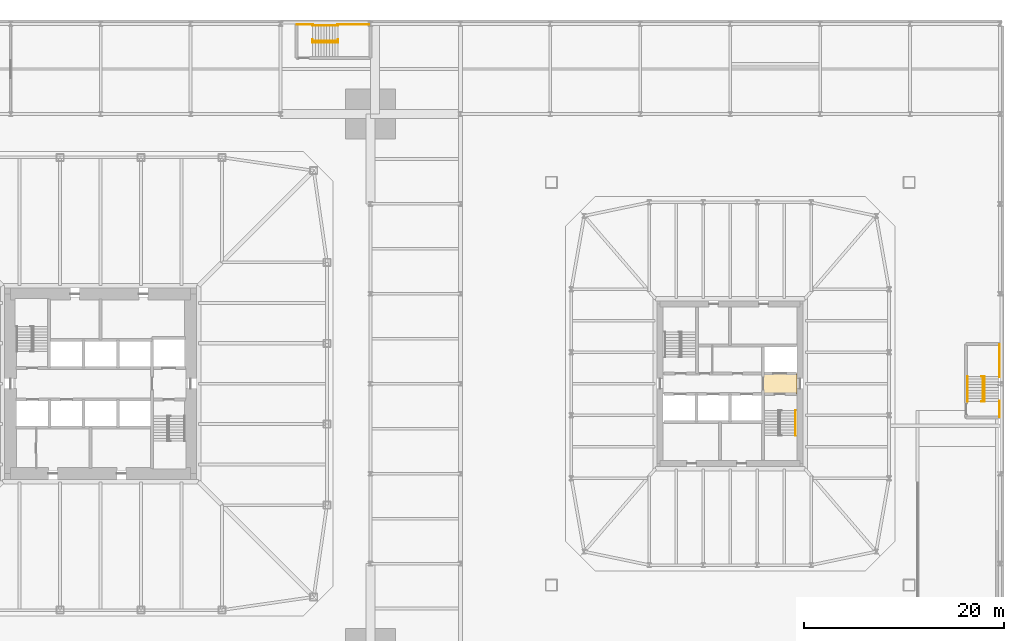
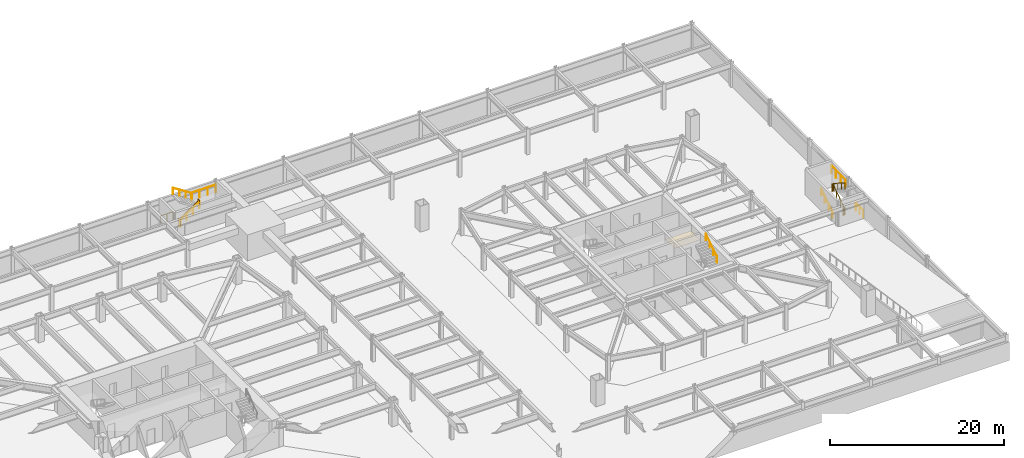
# One storey, part 17 of 17: 11 railings, 1 covering.
"""IFC4 building model written with IfcOpenShell, lengths in metres."""

import ifcopenshell
import ifcopenshell.guid

model = None  # the IFC model being written
_history = None  # IfcOwnerHistory: only IFC2X3 demands one
_inside = {}  # id of a spatial element -> (the spatial element, [elements in it])
_under = {}  # id of a project, library or spatial element -> (it, [spatial elements below it])
_declared = {}  # id of a project -> (the project, [libraries it declares])
_typed = {}  # id of a type object -> (the type object, [elements of that type])
_made_of = {}  # id of a material, layer set ... -> (it, [elements and type objects made of it])


def new_model(schema):
    """Start an empty IFC model of exactly this schema.

    Asked for "IFC4X3", IfcOpenShell would pick the latest addendum, in which some entities
    have other attributes; the version numbers below select the first issue.
    IFC2X3 requires an IfcOwnerHistory on every rooted entity: one is made here for all.
    """
    global model, _history
    if schema == "IFC4X3":
        model = ifcopenshell.file(schema_version=(4, 3, 0, 0))
    else:
        model = ifcopenshell.file(schema=schema)
    _inside.clear()
    _under.clear()
    _declared.clear()
    _typed.clear()
    _made_of.clear()
    _history = None
    if model.schema == "IFC2X3":
        org = make("IfcOrganization", Name="unknown")
        user = make(
            "IfcPersonAndOrganization",
            ThePerson=make("IfcPerson", FamilyName="unknown"),
            TheOrganization=org,
        )
        app = make(
            "IfcApplication",
            ApplicationDeveloper=org,
            Version="unknown",
            ApplicationFullName="unknown",
            ApplicationIdentifier="unknown",
        )
        _history = make(
            "IfcOwnerHistory",
            OwningUser=user,
            OwningApplication=app,
            ChangeAction="ADDED",
            CreationDate=0,
        )
    return model


def make(cls, **values):
    """One entity of the class cls with the attributes given. An attribute that is None is left unset."""
    return model.create_entity(
        cls, **{name: value for name, value in values.items() if value is not None}
    )


def rooted(cls, **values):
    """An entity with a GlobalId (a new one), such as an element, a storey or a relation."""
    return make(cls, GlobalId=ifcopenshell.guid.new(), OwnerHistory=_history, **values)


def si_unit(unit_type, name, prefix=None):
    """IfcSIUnit, for example si_unit("LENGTHUNIT", "METRE", prefix="MILLI")."""
    return make("IfcSIUnit", UnitType=unit_type, Prefix=prefix, Name=name)


def assignment(units):
    """IfcUnitAssignment: the units of a project."""
    return None if units is None else make("IfcUnitAssignment", Units=units)


def point(xyz):
    """IfcCartesianPoint."""
    return None if xyz is None else make("IfcCartesianPoint", Coordinates=xyz)


def direction(xyz):
    """IfcDirection."""
    return None if xyz is None else make("IfcDirection", DirectionRatios=xyz)


def frame(location, z_axis=None, x_axis=None):
    """IfcAxis2Placement3D, a coordinate frame: its origin and axes. An axis left out is left unset."""
    return make(
        "IfcAxis2Placement3D",
        Location=point(location),
        Axis=direction(z_axis),
        RefDirection=direction(x_axis),
    )


def frame_2d(location, x_axis=None):
    """IfcAxis2Placement2D, a coordinate frame in the plane: its origin and x axis."""
    return make(
        "IfcAxis2Placement2D", Location=point(location), RefDirection=direction(x_axis)
    )


def origin():
    """The frame at (0, 0, 0) with its axes left unset."""
    return frame((0.0, 0.0, 0.0))


def origin_2d():
    """The frame at (0, 0) in the plane with its x axis left unset."""
    return frame_2d((0.0, 0.0))


def place(relative_to, where):
    """IfcLocalPlacement: puts the frame where relative to a parent placement (None: the world)."""
    return make(
        "IfcLocalPlacement", PlacementRelTo=relative_to, RelativePlacement=where
    )


def context(
    kind, dimensions, precision=None, world=None, true_north=None, identifier=None
):
    """IfcGeometricRepresentationContext, for example the 3D "Model" context."""
    return make(
        "IfcGeometricRepresentationContext",
        ContextIdentifier=identifier,
        ContextType=kind,
        CoordinateSpaceDimension=dimensions,
        Precision=precision,
        WorldCoordinateSystem=world,
        TrueNorth=true_north,
    )


def subcontext(parent, identifier, kind, view, scale=None):
    """IfcGeometricRepresentationSubContext, for example "Body" below "Model"."""
    return make(
        "IfcGeometricRepresentationSubContext",
        ContextIdentifier=identifier,
        ContextType=kind,
        ParentContext=parent,
        TargetScale=scale,
        TargetView=view,
    )


def project(units=None, contexts=None):
    """IfcProject with its units and contexts."""
    return rooted(
        "IfcProject",
        Name="project",
        RepresentationContexts=contexts,
        UnitsInContext=assignment(units),
    )


def spatial(cls, under=None, at=None, **own):
    """A site, building, storey or space (cls), placed at a placement, below another one or the project."""
    s = rooted(cls, ObjectPlacement=at, **own)
    if under is not None:
        _under.setdefault(under.id(), (under, []))[1].append(s)
    return s


def polyline(points):
    """IfcPolyline through the points."""
    return make("IfcPolyline", Points=[point(p) for p in points])


def profile(cls, at=None, kind="AREA", **sizes):
    """A parametric profile (cls). Its sizes go by their IFC names, for example OverallWidth=200.0."""
    return make(cls, ProfileType=kind, Position=at, **sizes)


def circle(**sizes):
    """IfcCircleProfileDef."""
    return profile("IfcCircleProfileDef", **sizes)


def outline(outer, holes=None, kind="AREA"):
    """IfcArbitraryClosedProfileDef: a profile drawn as a closed curve; with holes, ...WithVoids."""
    if holes is None:
        return make("IfcArbitraryClosedProfileDef", ProfileType=kind, OuterCurve=outer)
    return make(
        "IfcArbitraryProfileDefWithVoids",
        ProfileType=kind,
        OuterCurve=outer,
        InnerCurves=holes,
    )


def extrude(swept, where, along, depth):
    """IfcExtrudedAreaSolid: the profile swept, set in the frame where, extruded along a direction by depth."""
    return make(
        "IfcExtrudedAreaSolid",
        SweptArea=swept,
        Position=where,
        ExtrudedDirection=direction(along),
        Depth=depth,
    )


def shape(context_of_items, identifier, shape_type, items):
    """IfcShapeRepresentation: the items that make up one representation, for example the "Body"."""
    return make(
        "IfcShapeRepresentation",
        ContextOfItems=context_of_items,
        RepresentationIdentifier=identifier,
        RepresentationType=shape_type,
        Items=items,
    )


def material(Name=None, Category=None):
    """IfcMaterial."""
    return make("IfcMaterial", Name=Name, Category=Category)


def layer(
    of_material, thickness, ventilated=None, Name=None, Category=None, Priority=None
):
    """IfcMaterialLayer: one layer of a wall or slab, of a material (None: an air gap)."""
    return make(
        "IfcMaterialLayer",
        Material=of_material,
        LayerThickness=thickness,
        IsVentilated=ventilated,
        Name=Name,
        Category=Category,
        Priority=Priority,
    )


def layer_set(layers, Name=None):
    """IfcMaterialLayerSet."""
    return make("IfcMaterialLayerSet", MaterialLayers=layers, LayerSetName=Name)


def constituent(of_material, Name=None, Category=None, fraction=None):
    """IfcMaterialConstituent: one of the materials an element consists of."""
    return make(
        "IfcMaterialConstituent",
        Name=Name,
        Material=of_material,
        Fraction=fraction,
        Category=Category,
    )


def constituent_set(constituents=None, Name=None):
    """IfcMaterialConstituentSet."""
    return make(
        "IfcMaterialConstituentSet", Name=Name, MaterialConstituents=constituents
    )


def made_of(thing, what):
    """Note that an element or type object is made of a material, layer set ...; save() writes the relation."""
    if what is not None:
        _made_of.setdefault(what.id(), (what, []))[1].append(thing)
    return thing


def type_object(cls, material=None, **own):
    """A type object (cls), such as IfcWallType, which elements share."""
    return made_of(rooted(cls, **own), material)


def element(
    cls,
    number,
    at=None,
    inside=None,
    cuts=None,
    type_object=None,
    material=None,
    context=None,
    identifier="Body",
    shape_type=None,
    held_by="IfcProductDefinitionShape",
    body=None,
    shapes=None,
    **own,
):
    """One element of the class cls, such as IfcWall. Its Tag is "e" and its number.

    at: its placement. inside: the storey or other place that contains it. cuts: it is an
    opening in that element (IfcRelVoidsElement). A single representation is given by context,
    identifier, shape_type and body (its items); several are given by shapes. held_by: the class
    of the entity that holds the representations. save() writes the other relations.
    """
    e = rooted(cls, Tag="e%d" % number, ObjectPlacement=at, **own)
    if body is not None:
        shapes = [shape(context, identifier, shape_type, body)]
    if shapes is not None:
        e.Representation = make(held_by, Representations=shapes)
    if inside is not None:
        _inside.setdefault(inside.id(), (inside, []))[1].append(e)
    if cuts is not None:
        rooted(
            "IfcRelVoidsElement", RelatingBuildingElement=cuts, RelatedOpeningElement=e
        )
    if type_object is not None:
        _typed.setdefault(type_object.id(), (type_object, []))[1].append(e)
    return made_of(e, material)


def aggregate(whole, parts):
    """IfcRelAggregates: a whole, such as a stair, and the parts it consists of."""
    return rooted("IfcRelAggregates", RelatingObject=whole, RelatedObjects=parts)


def save(model, path):
    """Write the relations noted so far, then the file.

    IfcRelAggregates (storeys below a building ...), IfcRelContainedInSpatialStructure (elements
    in a storey), IfcRelDefinesByType, IfcRelAssociatesMaterial and IfcRelDeclares: one each for
    every whole, place, type object, material and project.
    """
    for whole, parts in _under.values():
        aggregate(whole, parts)
    for where, things in _inside.values():
        rooted(
            "IfcRelContainedInSpatialStructure",
            RelatedElements=things,
            RelatingStructure=where,
        )
    for kind, things in _typed.values():
        rooted("IfcRelDefinesByType", RelatedObjects=things, RelatingType=kind)
    for what, things in _made_of.values():
        rooted("IfcRelAssociatesMaterial", RelatedObjects=things, RelatingMaterial=what)
    for by, libraries in _declared.values():
        rooted("IfcRelDeclares", RelatingContext=by, RelatedDefinitions=libraries)
    model.write(path)


model = new_model("IFC4")

# Units and contexts
model_context = context("Model", 3, precision=1e-05, world=origin(), true_north=direction((0.0, 1.0)))
body_context = subcontext(model_context, "Body", "Model", "MODEL_VIEW")
ifc_project = project(units=[si_unit("LENGTHUNIT", "METRE"), si_unit("AREAUNIT", "SQUARE_METRE"), si_unit("VOLUMEUNIT", "CUBIC_METRE"), si_unit("PLANEANGLEUNIT", "RADIAN"), si_unit("MASSUNIT", "GRAM", prefix="KILO")], contexts=[model_context])

# Site, building, storey
site_placement = place(None, origin())
site = spatial("IfcSite", under=ifc_project, at=site_placement, CompositionType="ELEMENT")
building_placement = place(site_placement, origin())
building = spatial("IfcBuilding", under=site, at=building_placement, Name="Iwan Alto Co-Living Towers", CompositionType="ELEMENT")
storey_placement = place(building_placement, frame((0.0, 0.0, -3.60009765625)))
storey = spatial("IfcBuildingStorey", under=building, at=storey_placement, Name="B1", CompositionType="ELEMENT", Elevation=-3.60009765625)

# Covering
ifc_material_1 = material(Name="Mineral fibre acoustic tiles on steel grid", Category="steel")
ifc_layer = layer(ifc_material_1, 0.02001953125)
ifc_layer_set = layer_set([ifc_layer], Name="ACOUSTIC TILE CEILING 20")
covering_type = type_object("IfcCoveringType", Name="ACOUSTIC TILE CEILING 20", PredefinedType="CEILING", material=ifc_layer_set)
covering_placement = place(storey_placement, frame((0.0, 0.0, 2.60009765625)))
element("IfcCovering", 1, at=covering_placement, inside=storey, type_object=covering_type, Name="Ceiling Firefighting lobby B1", PredefinedType="CEILING", context=body_context, shape_type="SweptSolid", body=[
    extrude(outline(polyline([(66.300048828125, -1.050048828125), (66.300048828125, 1.050048828125), (69.699951171875, 1.050048828125), (69.699951171875, -1.050048828125), (66.300048828125, -1.050048828125)])), origin(), (0.0, 0.0, 1.0), 0.02001953125),
])

# Railings
ifc_material_2 = material(Name="Steel ASTM A500 Gr C", Category="steel")
ifc_constituent_1 = constituent(ifc_material_2, Name="Rails and posts", Category="Framing")
ifc_material_3 = material(Name="Steel ASTM A36", Category="steel")
ifc_constituent_2 = constituent(ifc_material_3, Name="Bar infill", Category="Infill")
ifc_constituent_set = constituent_set(constituents=[ifc_constituent_1, ifc_constituent_2], Name="STAIR GUARD 1100")
railing_type_1 = type_object("IfcRailingType", Name="STAIR GUARD 1100", PredefinedType="GUARDRAIL", material=ifc_constituent_set)
railing_1_placement = place(storey_placement, frame((88.300048828125, -1.780029296875, 0.0)))
element("IfcRailing", 2, at=railing_1_placement, inside=storey, type_object=railing_type_1, Name="Stair PS2 well guard B1", PredefinedType="GUARDRAIL", context=body_context, shape_type="SweptSolid", body=[
    extrude(circle(Radius=0.02392578125, at=origin_2d()), frame((0.0, 0.0, 1.076171875), z_axis=(0.0, 0.813728144527, 0.581245650998), x_axis=(-1.0, 0.0, 0.0)), (0.0, 0.0, 1.0), 3.096923828125),
    extrude(circle(Radius=0.02392578125, at=origin_2d()), frame((-0.150146484375, 0.0, 1.076171875), z_axis=(1.0, 0.0, 0.0), x_axis=(0.0, 1.0, 0.0)), (0.0, 0.0, 1.0), 0.300048828125),
    extrude(circle(Radius=0.02392578125, at=origin_2d()), frame((-0.150146484375, 2.52001953125, 2.8759765625), z_axis=(1.0, 0.0, 0.0), x_axis=(0.0, 1.0, 0.0)), (0.0, 0.0, 1.0), 0.300048828125),
    extrude(circle(Radius=0.02099609375, at=origin_2d()), origin(), (0.0, 0.0, 1.0), 1.052001953125),
    extrude(circle(Radius=0.02099609375, at=origin_2d()), frame((0.0, 0.840087890625, 0.60009765625)), (0.0, 0.0, 1.0), 1.052001953125),
    extrude(circle(Radius=0.02099609375, at=origin_2d()), frame((0.0, 1.679931640625, 1.199951171875)), (0.0, 0.0, 1.0), 1.052001953125),
    extrude(circle(Radius=0.02099609375, at=origin_2d()), frame((0.0, 2.52001953125, 1.800048828125)), (0.0, 0.0, 1.0), 1.052001953125),
    extrude(circle(Radius=0.02099609375, at=origin_2d()), frame((-0.150146484375, 0.0, 0.0)), (0.0, 0.0, 1.0), 1.052001953125),
    extrude(circle(Radius=0.02099609375, at=origin_2d()), frame((0.14990234375, 0.0, 0.0)), (0.0, 0.0, 1.0), 1.052001953125),
    extrude(circle(Radius=0.02099609375, at=origin_2d()), frame((-0.150146484375, 2.52001953125, 1.800048828125)), (0.0, 0.0, 1.0), 1.052001953125),
    extrude(circle(Radius=0.02099609375, at=origin_2d()), frame((0.14990234375, 2.52001953125, 1.800048828125)), (0.0, 0.0, 1.0), 1.052001953125),
])
railing_2_placement = place(storey_placement, frame((89.93994140625, -3.35009765625, 0.0)))
element("IfcRailing", 3, at=railing_2_placement, inside=storey, type_object=railing_type_1, Name="Stair PS2 edge guard B1 1", PredefinedType="GUARDRAIL", context=body_context, shape_type="SweptSolid", body=[
    extrude(circle(Radius=0.02392578125, at=origin_2d()), frame((0.0, 0.0, 1.076171875), z_axis=(0.0, 1.0, 0.0), x_axis=(-1.0, 0.0, 0.0)), (0.0, 0.0, 1.0), 1.6201171875),
    extrude(circle(Radius=0.02099609375, at=origin_2d()), origin(), (0.0, 0.0, 1.0), 1.052001953125),
    extrude(circle(Radius=0.02099609375, at=origin_2d()), frame((0.0, 0.81005859375, 0.0)), (0.0, 0.0, 1.0), 1.052001953125),
    extrude(circle(Radius=0.02099609375, at=origin_2d()), frame((0.0, 1.6201171875, 0.0)), (0.0, 0.0, 1.0), 1.052001953125),
])
railing_3_placement = place(storey_placement, frame((89.93994140625, 0.68994140625, 1.800048828125)))
element("IfcRailing", 4, at=railing_3_placement, inside=storey, type_object=railing_type_1, Name="Stair PS2 edge guard B1 2", PredefinedType="GUARDRAIL", context=body_context, shape_type="SweptSolid", body=[
    extrude(circle(Radius=0.02392578125, at=origin_2d()), frame((0.0, 0.0, 1.076171875), z_axis=(0.0, 1.0, 0.0), x_axis=(-1.0, 0.0, 0.0)), (0.0, 0.0, 1.0), 3.260009765625),
    extrude(circle(Radius=0.02099609375, at=origin_2d()), origin(), (0.0, 0.0, 1.0), 1.052001953125),
    extrude(circle(Radius=0.02099609375, at=origin_2d()), frame((0.0, 1.086669921875, 0.0)), (0.0, 0.0, 1.0), 1.052001953125),
    extrude(circle(Radius=0.02099609375, at=origin_2d()), frame((0.0, 2.17333984375, 0.0)), (0.0, 0.0, 1.0), 1.052001953125),
    extrude(circle(Radius=0.02099609375, at=origin_2d()), frame((0.0, 3.260009765625, 0.0)), (0.0, 0.0, 1.0), 1.052001953125),
])
railing_4_placement = place(storey_placement, frame((21.219970703125, 34.300048828125, 0.0)))
element("IfcRailing", 5, at=railing_4_placement, inside=storey, type_object=railing_type_1, Name="Stair PS3 well guard B1", PredefinedType="GUARDRAIL", context=body_context, shape_type="SweptSolid", body=[
    extrude(circle(Radius=0.02392578125, at=origin_2d()), frame((0.0, 0.0, 1.076171875), z_axis=(0.813728144527, 0.0, 0.581245650998), x_axis=(0.0, 1.0, 0.0)), (0.0, 0.0, 1.0), 3.096923828125),
    extrude(circle(Radius=0.02392578125, at=origin_2d()), frame((0.0, -0.150146484375, 1.076171875), z_axis=(0.0, 1.0, 0.0), x_axis=(-1.0, 0.0, 0.0)), (0.0, 0.0, 1.0), 0.300048828125),
    extrude(circle(Radius=0.02392578125, at=origin_2d()), frame((2.52001953125, -0.150146484375, 2.8759765625), z_axis=(0.0, 1.0, 0.0), x_axis=(-1.0, 0.0, 0.0)), (0.0, 0.0, 1.0), 0.300048828125),
    extrude(circle(Radius=0.02099609375, at=origin_2d()), origin(), (0.0, 0.0, 1.0), 1.052001953125),
    extrude(circle(Radius=0.02099609375, at=origin_2d()), frame((0.840087890625, 0.0, 0.60009765625)), (0.0, 0.0, 1.0), 1.052001953125),
    extrude(circle(Radius=0.02099609375, at=origin_2d()), frame((1.679931640625, 0.0, 1.199951171875)), (0.0, 0.0, 1.0), 1.052001953125),
    extrude(circle(Radius=0.02099609375, at=origin_2d()), frame((2.52001953125, 0.0, 1.800048828125)), (0.0, 0.0, 1.0), 1.052001953125),
    extrude(circle(Radius=0.02099609375, at=origin_2d()), frame((0.0, -0.150146484375, 0.0)), (0.0, 0.0, 1.0), 1.052001953125),
    extrude(circle(Radius=0.02099609375, at=origin_2d()), frame((0.0, 0.14990234375, 0.0)), (0.0, 0.0, 1.0), 1.052001953125),
    extrude(circle(Radius=0.02099609375, at=origin_2d()), frame((2.52001953125, -0.150146484375, 1.800048828125)), (0.0, 0.0, 1.0), 1.052001953125),
    extrude(circle(Radius=0.02099609375, at=origin_2d()), frame((2.52001953125, 0.14990234375, 1.800048828125)), (0.0, 0.0, 1.0), 1.052001953125),
])
railing_5_placement = place(storey_placement, frame((19.64990234375, 35.93994140625, 0.0)))
element("IfcRailing", 6, at=railing_5_placement, inside=storey, type_object=railing_type_1, Name="Stair PS3 edge guard B1 1", PredefinedType="GUARDRAIL", context=body_context, shape_type="SweptSolid", body=[
    extrude(circle(Radius=0.02392578125, at=origin_2d()), frame((0.0, 0.0, 1.076171875), z_axis=(1.0, 0.0, 0.0), x_axis=(0.0, 1.0, 0.0)), (0.0, 0.0, 1.0), 1.6201171875),
    extrude(circle(Radius=0.02099609375, at=origin_2d()), origin(), (0.0, 0.0, 1.0), 1.052001953125),
    extrude(circle(Radius=0.02099609375, at=origin_2d()), frame((0.81005859375, 0.0, 0.0)), (0.0, 0.0, 1.0), 1.052001953125),
    extrude(circle(Radius=0.02099609375, at=origin_2d()), frame((1.6201171875, 0.0, 0.0)), (0.0, 0.0, 1.0), 1.052001953125),
])
railing_6_placement = place(storey_placement, frame((23.68994140625, 35.93994140625, 1.800048828125)))
element("IfcRailing", 7, at=railing_6_placement, inside=storey, type_object=railing_type_1, Name="Stair PS3 edge guard B1 2", PredefinedType="GUARDRAIL", context=body_context, shape_type="SweptSolid", body=[
    extrude(circle(Radius=0.02392578125, at=origin_2d()), frame((0.0, 0.0, 1.076171875), z_axis=(1.0, 0.0, 0.0), x_axis=(0.0, 1.0, 0.0)), (0.0, 0.0, 1.0), 3.260009765625),
    extrude(circle(Radius=0.02099609375, at=origin_2d()), origin(), (0.0, 0.0, 1.0), 1.052001953125),
    extrude(circle(Radius=0.02099609375, at=origin_2d()), frame((1.086669921875, 0.0, 0.0)), (0.0, 0.0, 1.0), 1.052001953125),
    extrude(circle(Radius=0.02099609375, at=origin_2d()), frame((2.17333984375, 0.0, 0.0)), (0.0, 0.0, 1.0), 1.052001953125),
    extrude(circle(Radius=0.02099609375, at=origin_2d()), frame((3.260009765625, 0.0, 0.0)), (0.0, 0.0, 1.0), 1.052001953125),
])
ifc_material_4 = material(Name="Steel ASTM A500 Gr C", Category="steel")
railing_type_2 = type_object("IfcRailingType", Name="STAIR HANDRAIL 900", PredefinedType="HANDRAIL", material=ifc_material_4)
railing_7_placement = place(storey_placement, frame((86.77001953125, -1.780029296875, 0.18017578125)))
element("IfcRailing", 8, at=railing_7_placement, inside=storey, type_object=railing_type_2, Name="Stair PS2 handrail 1 B1", PredefinedType="HANDRAIL", context=body_context, shape_type="SweptSolid", body=[
    extrude(circle(Radius=0.02392578125, at=origin_2d()), frame((0.0, 0.0, 0.8759765625), z_axis=(0.0, 0.841199657755, 0.540724639528), x_axis=(-1.0, 0.0, 0.0)), (0.0, 0.0, 1.0), 2.995849609375),
    extrude(circle(Radius=0.02099609375, at=origin_2d()), origin(), (0.0, 0.0, 1.0), 0.851806640625),
    extrude(circle(Radius=0.02099609375, at=origin_2d()), frame((0.0, 0.840087890625, 0.5400390625)), (0.0, 0.0, 1.0), 0.851806640625),
    extrude(circle(Radius=0.02099609375, at=origin_2d()), frame((0.0, 1.679931640625, 1.079833984375)), (0.0, 0.0, 1.0), 0.851806640625),
    extrude(circle(Radius=0.02099609375, at=origin_2d()), frame((0.0, 2.52001953125, 1.619873046875)), (0.0, 0.0, 1.0), 0.851806640625),
])
railing_8_placement = place(storey_placement, frame((88.449951171875, 0.739990234375, 1.97998046875)))
element("IfcRailing", 9, at=railing_8_placement, inside=storey, type_object=railing_type_2, Name="Stair PS2 handrail 2 B1", PredefinedType="HANDRAIL", context=body_context, shape_type="SweptSolid", body=[
    extrude(circle(Radius=0.02392578125, at=origin_2d()), frame((0.0, 0.0, 0.8759765625), z_axis=(0.0, -0.841162588446, 0.540782303519), x_axis=(1.0, 0.0, 0.0)), (0.0, 0.0, 1.0), 2.995849609375),
    extrude(circle(Radius=0.02099609375, at=origin_2d()), origin(), (0.0, 0.0, 1.0), 0.851806640625),
    extrude(circle(Radius=0.02099609375, at=origin_2d()), frame((0.0, -0.840087890625, 0.5400390625)), (0.0, 0.0, 1.0), 0.851806640625),
    extrude(circle(Radius=0.02099609375, at=origin_2d()), frame((0.0, -1.679931640625, 1.080078125)), (0.0, 0.0, 1.0), 0.851806640625),
    extrude(circle(Radius=0.02099609375, at=origin_2d()), frame((0.0, -2.52001953125, 1.6201171875)), (0.0, 0.0, 1.0), 0.851806640625),
])
railing_9_placement = place(storey_placement, frame((21.219970703125, 34.14990234375, 0.18017578125)))
element("IfcRailing", 10, at=railing_9_placement, inside=storey, type_object=railing_type_2, Name="Stair PS3 handrail 1 B1", PredefinedType="HANDRAIL", context=body_context, shape_type="SweptSolid", body=[
    extrude(circle(Radius=0.02392578125, at=origin_2d()), frame((0.0, 0.0, 0.8759765625), z_axis=(0.841199657755, 0.0, 0.540724639528), x_axis=(0.0, 1.0, 0.0)), (0.0, 0.0, 1.0), 2.995849609375),
    extrude(circle(Radius=0.02099609375, at=origin_2d()), origin(), (0.0, 0.0, 1.0), 0.851806640625),
    extrude(circle(Radius=0.02099609375, at=origin_2d()), frame((0.840087890625, 0.0, 0.5400390625)), (0.0, 0.0, 1.0), 0.851806640625),
    extrude(circle(Radius=0.02099609375, at=origin_2d()), frame((1.679931640625, 0.0, 1.079833984375)), (0.0, 0.0, 1.0), 0.851806640625),
    extrude(circle(Radius=0.02099609375, at=origin_2d()), frame((2.52001953125, 0.0, 1.619873046875)), (0.0, 0.0, 1.0), 0.851806640625),
])
railing_10_placement = place(storey_placement, frame((23.739990234375, 35.830078125, 1.97998046875)))
element("IfcRailing", 11, at=railing_10_placement, inside=storey, type_object=railing_type_2, Name="Stair PS3 handrail 2 B1", PredefinedType="HANDRAIL", context=body_context, shape_type="SweptSolid", body=[
    extrude(circle(Radius=0.02392578125, at=origin_2d()), frame((0.0, 0.0, 0.8759765625), z_axis=(-0.841162588446, 0.0, 0.540782303519), x_axis=(0.0, -1.0, 0.0)), (0.0, 0.0, 1.0), 2.995849609375),
    extrude(circle(Radius=0.02099609375, at=origin_2d()), origin(), (0.0, 0.0, 1.0), 0.851806640625),
    extrude(circle(Radius=0.02099609375, at=origin_2d()), frame((-0.840087890625, 0.0, 0.5400390625)), (0.0, 0.0, 1.0), 0.851806640625),
    extrude(circle(Radius=0.02099609375, at=origin_2d()), frame((-1.679931640625, 0.0, 1.080078125)), (0.0, 0.0, 1.0), 0.851806640625),
    extrude(circle(Radius=0.02099609375, at=origin_2d()), frame((-2.52001953125, 0.0, 1.6201171875)), (0.0, 0.0, 1.0), 0.851806640625),
])
railing_11_placement = place(storey_placement, frame((69.530029296875, -5.18994140625, 1.97998046875)))
element("IfcRailing", 12, at=railing_11_placement, inside=storey, type_object=railing_type_2, Name="Stair T2-S2 handrail 2 B1", PredefinedType="HANDRAIL", context=body_context, shape_type="SweptSolid", body=[
    extrude(circle(Radius=0.02392578125, at=origin_2d()), frame((0.0, 0.0, 0.8759765625), z_axis=(0.0, 0.841162588446, 0.540782303519), x_axis=(-1.0, 0.0, 0.0)), (0.0, 0.0, 1.0), 2.995849609375),
    extrude(circle(Radius=0.02099609375, at=origin_2d()), origin(), (0.0, 0.0, 1.0), 0.851806640625),
    extrude(circle(Radius=0.02099609375, at=origin_2d()), frame((0.0, 0.840087890625, 0.5400390625)), (0.0, 0.0, 1.0), 0.851806640625),
    extrude(circle(Radius=0.02099609375, at=origin_2d()), frame((0.0, 1.679931640625, 1.080078125)), (0.0, 0.0, 1.0), 0.851806640625),
    extrude(circle(Radius=0.02099609375, at=origin_2d()), frame((0.0, 2.52001953125, 1.6201171875)), (0.0, 0.0, 1.0), 0.851806640625),
])

save(model, "model.ifc")
